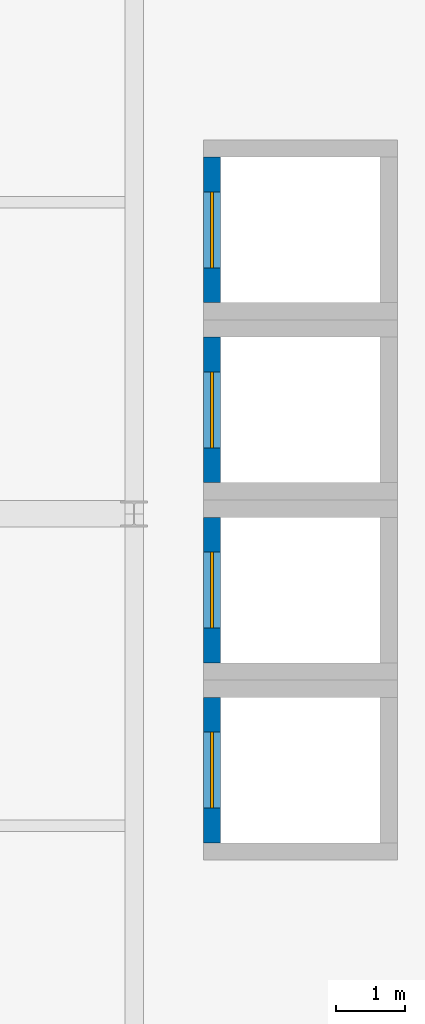
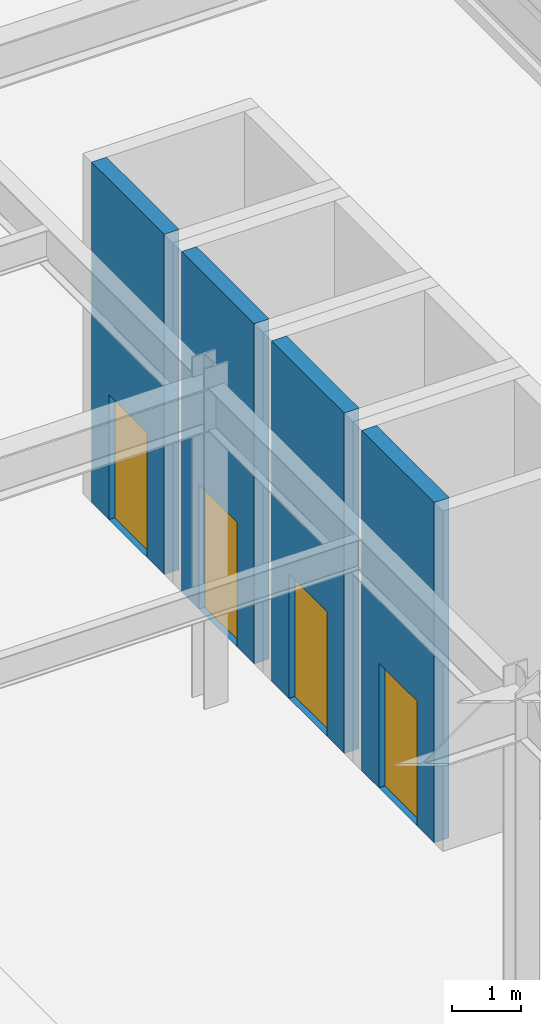
# One storey, part 91 of 108: 4 doors, 4 walls, 4 openings.
"""IFC4 building model written with IfcOpenShell, lengths in metres."""

from ifc_helpers import new_model, si_unit, direction, frame, frame_2d, origin, place, context, subcontext, project, spatial, rectangle, extrude, material, layer, layer_set, type_object, element, fill, save


model = new_model("IFC4")

# Units and contexts
model_context = context("Model", 3, precision=1e-05, world=origin(), true_north=direction((0.0, 1.0)))
body_context = subcontext(model_context, "Body", "Model", "MODEL_VIEW")
ifc_project = project(units=[si_unit("LENGTHUNIT", "METRE"), si_unit("AREAUNIT", "SQUARE_METRE"), si_unit("VOLUMEUNIT", "CUBIC_METRE"), si_unit("PLANEANGLEUNIT", "RADIAN"), si_unit("MASSUNIT", "GRAM", prefix="KILO")], contexts=[model_context])

# Site, building, storey
site_placement = place(None, origin())
site = spatial("IfcSite", under=ifc_project, at=site_placement, CompositionType="ELEMENT")
building_placement = place(site_placement, origin())
building = spatial("IfcBuilding", under=site, at=building_placement, Name="Kaldorvane Square Convention Centre", CompositionType="ELEMENT")
storey_placement = place(building_placement, frame((0.0, 0.0, 12.0)))
storey = spatial("IfcBuildingStorey", under=building, at=storey_placement, Name="L02", CompositionType="ELEMENT", Elevation=12.0)

# Wall, opening, door
ifc_material_1 = material(Name="Concrete f'c = 55 MPa (Normalweight)", Category="concrete")
ifc_layer = layer(ifc_material_1, 0.3000030517578125)
ifc_layer_set = layer_set([ifc_layer], Name="Concrete f'c = 55 MPa (Normalweight)")
wall_type = type_object("IfcWallType", Name="WL-SHAFT-300", PredefinedType="SHEAR", material=ifc_layer_set)
wall_1_placement = place(storey_placement, frame((127.125, 42.350006103515625, 0.0), z_axis=(0.0, 0.0, 1.0), x_axis=(0.0, -1.0, 0.0)))
wall_1 = element("IfcWall", 1, at=wall_1_placement, inside=storey, type_object=wall_type, Name="Core Enclosure Wall lift:EL-C1-W (L02)", PredefinedType="SHEAR", context=body_context, shape_type="SweptSolid", body=[
    extrude(rectangle(XDim=2.100006103515625, YDim=0.25, at=frame_2d((1.0500030517578125, 0.0))), origin(), (0.0, 0.0, 1.0), 6.0),
])
opening_1_placement = place(wall_1_placement, frame((0.5, 0.0, 0.0)))
opening_1 = element("IfcOpeningElement", 2, at=opening_1_placement, cuts=wall_1, Name="Opening LD-01", PredefinedType="OPENING", context=body_context, shape_type="SweptSolid", body=[
    extrude(rectangle(XDim=1.100006103515625, YDim=2.1999969482421875, at=frame_2d((0.5500030517578125, 1.100006103515625))), frame((0.0, 0.1399993896484375, 0.0), z_axis=(0.0, -1.0, 0.0), x_axis=(1.0, 0.0, 0.0)), (0.0, 0.0, 1.0), 0.279998779296875),
])
ifc_material_2 = material(Name="Stainless Steel Elevator Door Assembly", Category="steel")
door_type = type_object("IfcDoorType", Name="DR-LIFT-1100", OperationType="DOUBLE_DOOR_SLIDING", PredefinedType="DOOR", material=ifc_material_2)
door_1_placement = place(opening_1_placement, origin())
door_1 = element("IfcDoor", 3, at=door_1_placement, inside=storey, type_object=door_type, Name="Elevator Landing Door EL-C1 (L02)", OperationType="DOUBLE_DOOR_SLIDING", OverallHeight=2.1999969482421875, OverallWidth=1.100006103515625, PredefinedType="DOOR", context=body_context, shape_type="SweptSolid", body=[
    extrude(rectangle(XDim=1.100006103515625, YDim=2.1999969482421875, at=frame_2d((0.5500030517578125, 1.100006103515625))), frame((0.0, 0.024993896484375, 0.0), z_axis=(0.0, -1.0, 0.0), x_axis=(1.0, 0.0, 0.0)), (0.0, 0.0, 1.0), 0.0500030517578125),
])
fill(opening_1, door_1)

wall_2_placement = place(storey_placement, frame((127.125, 44.94999694824219, 0.0), z_axis=(0.0, 0.0, 1.0), x_axis=(0.0, -1.0, 0.0)))
wall_2 = element("IfcWall", 4, at=wall_2_placement, inside=storey, type_object=wall_type, Name="Core Enclosure Wall lift:EL-C2-W (L02)", PredefinedType="SHEAR", context=body_context, shape_type="SweptSolid", body=[
    extrude(rectangle(XDim=2.0999908447265625, YDim=0.25, at=frame_2d((1.04998779296875, 0.0))), origin(), (0.0, 0.0, 1.0), 6.0),
])
opening_2_placement = place(wall_2_placement, frame((0.5, 0.0, 0.0)))
opening_2 = element("IfcOpeningElement", 5, at=opening_2_placement, cuts=wall_2, Name="Opening LD-01", PredefinedType="OPENING", context=body_context, shape_type="SweptSolid", body=[
    extrude(rectangle(XDim=1.100006103515625, YDim=2.1999969482421875, at=frame_2d((0.5500030517578125, 1.100006103515625))), frame((0.0, 0.1399993896484375, 0.0), z_axis=(0.0, -1.0, 0.0), x_axis=(1.0, 0.0, 0.0)), (0.0, 0.0, 1.0), 0.279998779296875),
])
door_2_placement = place(opening_2_placement, origin())
door_2 = element("IfcDoor", 6, at=door_2_placement, inside=storey, type_object=door_type, Name="Elevator Landing Door EL-C2 (L02)", OperationType="DOUBLE_DOOR_SLIDING", OverallHeight=2.1999969482421875, OverallWidth=1.100006103515625, PredefinedType="DOOR", context=body_context, shape_type="SweptSolid", body=[
    extrude(rectangle(XDim=1.100006103515625, YDim=2.1999969482421875, at=frame_2d((0.5500030517578125, 1.100006103515625))), frame((0.0, 0.024993896484375, 0.0), z_axis=(0.0, -1.0, 0.0), x_axis=(1.0, 0.0, 0.0)), (0.0, 0.0, 1.0), 0.0500030517578125),
])
fill(opening_2, door_2)

wall_3_placement = place(storey_placement, frame((127.125, 47.55000305175781, 0.0), z_axis=(0.0, 0.0, 1.0), x_axis=(0.0, -1.0, 0.0)))
wall_3 = element("IfcWall", 7, at=wall_3_placement, inside=storey, type_object=wall_type, Name="Core Enclosure Wall lift:EL-C3-W (L02)", PredefinedType="SHEAR", context=body_context, shape_type="SweptSolid", body=[
    extrude(rectangle(XDim=2.100006103515625, YDim=0.25, at=frame_2d((1.0500030517578125, 0.0))), origin(), (0.0, 0.0, 1.0), 6.0),
])
opening_3_placement = place(wall_3_placement, frame((0.5, 0.0, 0.0)))
opening_3 = element("IfcOpeningElement", 8, at=opening_3_placement, cuts=wall_3, Name="Opening LD-01", PredefinedType="OPENING", context=body_context, shape_type="SweptSolid", body=[
    extrude(rectangle(XDim=1.100006103515625, YDim=2.1999969482421875, at=frame_2d((0.5500030517578125, 1.100006103515625))), frame((0.0, 0.1399993896484375, 0.0), z_axis=(0.0, -1.0, 0.0), x_axis=(1.0, 0.0, 0.0)), (0.0, 0.0, 1.0), 0.279998779296875),
])
door_3_placement = place(opening_3_placement, origin())
door_3 = element("IfcDoor", 9, at=door_3_placement, inside=storey, type_object=door_type, Name="Elevator Landing Door EL-C3 (L02)", OperationType="DOUBLE_DOOR_SLIDING", OverallHeight=2.1999969482421875, OverallWidth=1.100006103515625, PredefinedType="DOOR", context=body_context, shape_type="SweptSolid", body=[
    extrude(rectangle(XDim=1.100006103515625, YDim=2.1999969482421875, at=frame_2d((0.5500030517578125, 1.100006103515625))), frame((0.0, 0.024993896484375, 0.0), z_axis=(0.0, -1.0, 0.0), x_axis=(1.0, 0.0, 0.0)), (0.0, 0.0, 1.0), 0.0500030517578125),
])
fill(opening_3, door_3)

wall_4_placement = place(storey_placement, frame((127.125, 50.149993896484375, 0.0), z_axis=(0.0, 0.0, 1.0), x_axis=(0.0, -1.0, 0.0)))
wall_4 = element("IfcWall", 10, at=wall_4_placement, inside=storey, type_object=wall_type, Name="Core Enclosure Wall lift:EL-C4-W (L02)", PredefinedType="SHEAR", context=body_context, shape_type="SweptSolid", body=[
    extrude(rectangle(XDim=2.0999908447265625, YDim=0.25, at=frame_2d((1.04998779296875, 0.0))), origin(), (0.0, 0.0, 1.0), 6.0),
])
opening_4_placement = place(wall_4_placement, frame((0.5, 0.0, 0.0)))
opening_4 = element("IfcOpeningElement", 11, at=opening_4_placement, cuts=wall_4, Name="Opening LD-01", PredefinedType="OPENING", context=body_context, shape_type="SweptSolid", body=[
    extrude(rectangle(XDim=1.100006103515625, YDim=2.1999969482421875, at=frame_2d((0.5500030517578125, 1.100006103515625))), frame((0.0, 0.1399993896484375, 0.0), z_axis=(0.0, -1.0, 0.0), x_axis=(1.0, 0.0, 0.0)), (0.0, 0.0, 1.0), 0.279998779296875),
])
door_4_placement = place(opening_4_placement, origin())
door_4 = element("IfcDoor", 12, at=door_4_placement, inside=storey, type_object=door_type, Name="Elevator Landing Door EL-C4 (L02)", OperationType="DOUBLE_DOOR_SLIDING", OverallHeight=2.1999969482421875, OverallWidth=1.100006103515625, PredefinedType="DOOR", context=body_context, shape_type="SweptSolid", body=[
    extrude(rectangle(XDim=1.100006103515625, YDim=2.1999969482421875, at=frame_2d((0.5500030517578125, 1.100006103515625))), frame((0.0, 0.024993896484375, 0.0), z_axis=(0.0, -1.0, 0.0), x_axis=(1.0, 0.0, 0.0)), (0.0, 0.0, 1.0), 0.0500030517578125),
])
fill(opening_4, door_4)

save(model, "model.ifc")
